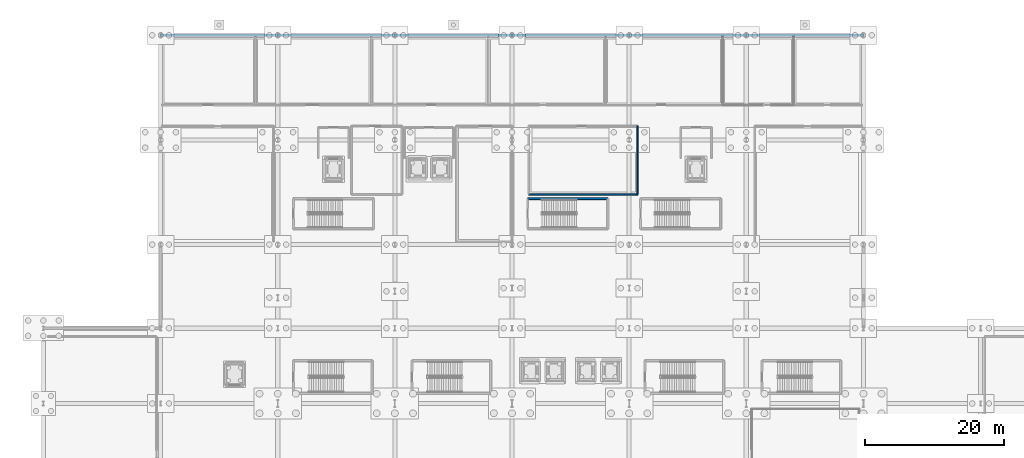
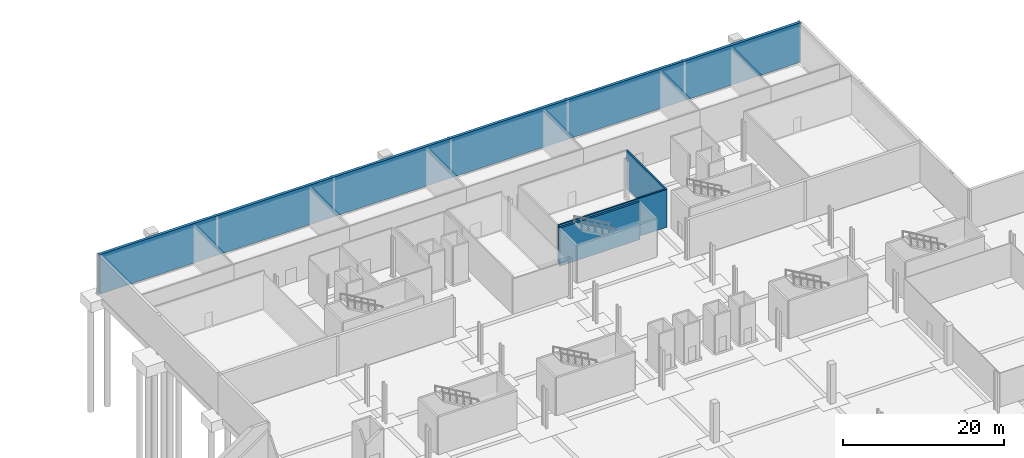
# One storey, part 30 of 46: 4 walls.
"""IFC4 building model written with IfcOpenShell, lengths in metres."""

from ifc_helpers import new_model, si_unit, direction, frame, frame_2d, origin, place, context, subcontext, project, spatial, rectangle, extrude, material, layer, layer_set, type_object, element, save


model = new_model("IFC4")

# Units and contexts
model_context = context("Model", 3, precision=1e-05, world=origin(), true_north=direction((0.0, 1.0)))
body_context = subcontext(model_context, "Body", "Model", "MODEL_VIEW")
ifc_project = project(units=[si_unit("LENGTHUNIT", "METRE"), si_unit("AREAUNIT", "SQUARE_METRE"), si_unit("VOLUMEUNIT", "CUBIC_METRE"), si_unit("PLANEANGLEUNIT", "RADIAN"), si_unit("MASSUNIT", "GRAM", prefix="KILO")], contexts=[model_context])

# Site, building, storey
site_placement = place(None, origin())
site = spatial("IfcSite", under=ifc_project, at=site_placement, CompositionType="ELEMENT")
building_placement = place(site_placement, origin())
building = spatial("IfcBuilding", under=site, at=building_placement, Name="Kimbaza Rail Terminus", CompositionType="ELEMENT")
storey_placement = place(building_placement, frame((0.0, 0.0, -6.0)))
storey = spatial("IfcBuildingStorey", under=building, at=storey_placement, Name="B1", CompositionType="ELEMENT", Elevation=-6.0)

# Walls
ifc_material_1 = material(Name="Concrete blockwork C30/37", Category="masonry")
ifc_layer_1 = layer(ifc_material_1, 0.199951171875)
ifc_layer_set_1 = layer_set([ifc_layer_1], Name="Concrete blockwork C30/37")
wall_type_1 = type_object("IfcWallType", Name="ARC-WL-FIRE200", PredefinedType="PARTITIONING", material=ifc_layer_set_1)
wall_1_placement = place(storey_placement, frame((108.0, 110.199951171875, 0.0), z_axis=(0.0, 0.0, 1.0), x_axis=(1.0, 0.0, 0.0)))
element("IfcWall", 1, at=wall_1_placement, inside=storey, type_object=wall_type_1, Name="B1 Rolling Stock Rostering Studio Partition (south)", PredefinedType="PARTITIONING", context=body_context, shape_type="SweptSolid", body=[
    extrude(rectangle(XDim=15.60009765625, YDim=0.199951171875, at=frame_2d((7.800048828125, 0.0))), origin(), (0.0, 0.0, 1.0), 5.75),
])
wall_2_placement = place(storey_placement, frame((123.60009765625, 110.199951171875, 0.0), z_axis=(0.0, 0.0, 1.0), x_axis=(0.0, 1.0, 0.0)))
element("IfcWall", 2, at=wall_2_placement, inside=storey, type_object=wall_type_1, Name="B1 Rolling Stock Rostering Studio Partition (east)", PredefinedType="PARTITIONING", context=body_context, shape_type="SweptSolid", body=[
    extrude(rectangle(XDim=9.800048828125, YDim=0.199951171875, at=frame_2d((4.89990234375, 0.0))), origin(), (0.0, 0.0, 1.0), 5.75),
])
ifc_material_2 = material(Name="Concrete C40/50", Category="concrete")
ifc_layer_2 = layer(ifc_material_2, 0.280029296875)
ifc_layer_set_2 = layer_set([ifc_layer_2], Name="Concrete C40/50")
wall_type_2 = type_object("IfcWallType", Name="STR-WL-CORE280", PredefinedType="SHEAR", material=ifc_layer_set_2)
wall_3_placement = place(storey_placement, frame((119.340087890625, 109.580078125, 0.0), z_axis=(0.0, 0.0, 1.0), x_axis=(-1.0, 0.0, 0.0)))
element("IfcWall", 3, at=wall_3_placement, inside=storey, type_object=wall_type_2, Name="Operations Central Exit Stair Shaft Wall B1-3", PredefinedType="SHEAR", context=body_context, shape_type="SweptSolid", body=[
    extrude(rectangle(XDim=11.47998046875, YDim=0.280029296875, at=frame_2d((5.739990234375, 0.0))), origin(), (0.0, 0.0, 1.0), 5.760009765625),
])
ifc_material_3 = material(Name="Concrete C40/50", Category="concrete")
ifc_layer_3 = layer(ifc_material_3, 0.39990234375)
ifc_layer_set_3 = layer_set([ifc_layer_3], Name="Concrete C40/50")
wall_type_3 = type_object("IfcWallType", Name="STR-WL-RET400", PredefinedType="SOLIDWALL", material=ifc_layer_set_3)
wall_4_placement = place(storey_placement, frame((156.0, 133.0, 0.0), z_axis=(0.0, 0.0, 1.0), x_axis=(-1.0, 0.0, 0.0)))
element("IfcWall", 4, at=wall_4_placement, inside=storey, type_object=wall_type_3, Name="Operations B1 Retaining Wall 4", PredefinedType="SOLIDWALL", context=body_context, shape_type="SweptSolid", body=[
    extrude(rectangle(XDim=100.800048828125, YDim=0.39990234375, at=frame_2d((50.39990234375, 0.0))), origin(), (0.0, 0.0, 1.0), 6.0),
])

save(model, "model.ifc")
